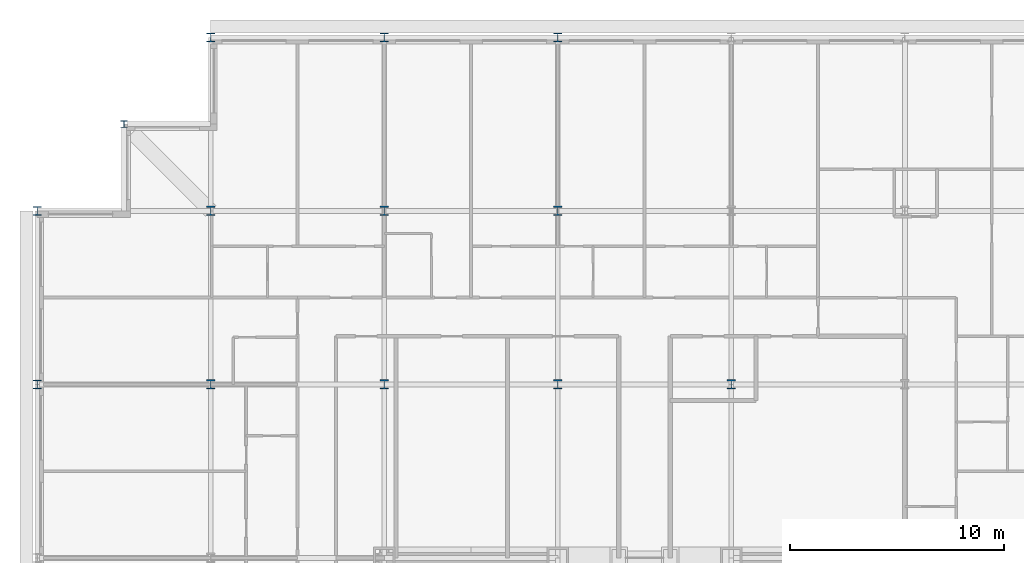
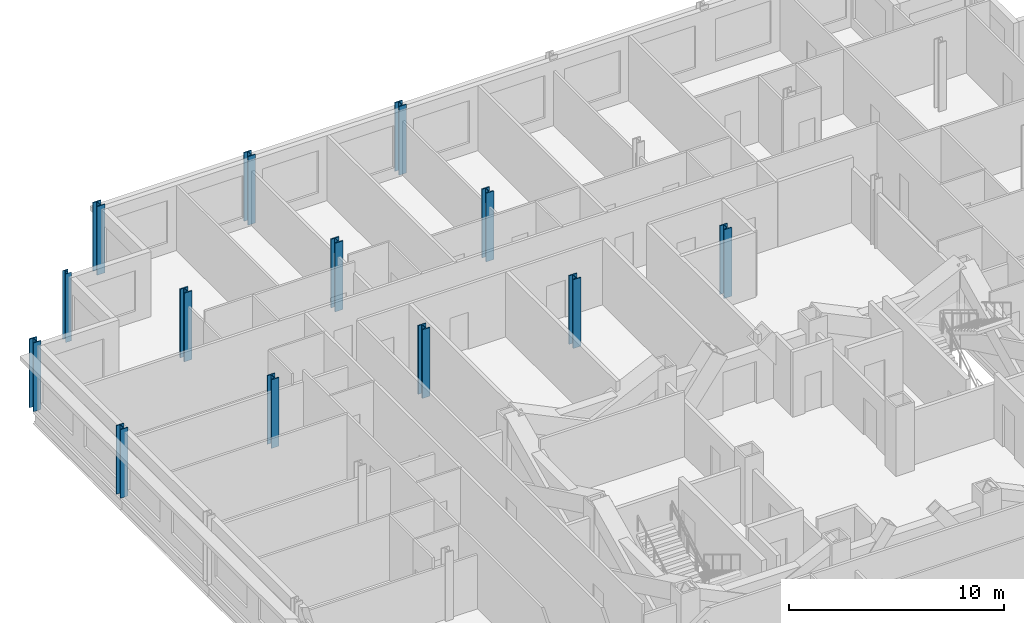
# One storey, part 3 of 15: 13 columns.
"""IFC4 building model written with IfcOpenShell, lengths in metres."""

from ifc_helpers import new_model, si_unit, direction, frame, origin, origin_2d, place, context, subcontext, project, spatial, i_section, extrude, material, material_profile, profile_set, type_object, element, save


model = new_model("IFC4")

# Units and contexts
model_context = context("Model", 3, precision=1e-05, world=origin(), true_north=direction((0.0, 1.0)))
body_context = subcontext(model_context, "Body", "Model", "MODEL_VIEW")
ifc_project = project(units=[si_unit("LENGTHUNIT", "METRE"), si_unit("AREAUNIT", "SQUARE_METRE"), si_unit("VOLUMEUNIT", "CUBIC_METRE"), si_unit("PLANEANGLEUNIT", "RADIAN"), si_unit("MASSUNIT", "GRAM", prefix="KILO")], contexts=[model_context])

# Site, building, storey
site_placement = place(None, origin())
site = spatial("IfcSite", under=ifc_project, at=site_placement, CompositionType="ELEMENT")
building_placement = place(site_placement, origin())
building = spatial("IfcBuilding", under=site, at=building_placement, Name="Kopane Lantern Tower", CompositionType="ELEMENT")
storey_placement = place(building_placement, frame((0.0, 0.0, 273.60009765625)))
storey = spatial("IfcBuildingStorey", under=building, at=storey_placement, Name="L70", CompositionType="ELEMENT", Elevation=273.60009765625)

# Columns
ifc_material_1 = material(Name="Steel S355JR", Category="steel")
ifc_material_profile_1 = material_profile(ifc_material_1, i_section(OverallWidth=0.307373046875, OverallDepth=0.314453125, WebThickness=0.011962890625, FlangeThickness=0.018798828125, FilletRadius=0.01513671875, at=origin_2d()), Name="UC 305x305x118")
ifc_profile_set_1 = profile_set([ifc_material_profile_1], Name="Steel S355JR")
column_type_1 = type_object("IfcColumnType", Name="COLUMN UC 305x305x118", PredefinedType="COLUMN", material=ifc_profile_set_1)
column_placement = place(storey_placement, frame((4.050048828125, 60.75, 0.0), z_axis=(0.0, 0.0, 1.0), x_axis=(1.0, 0.0, 0.0)))
element("IfcColumn", 1, at=column_placement, inside=storey, type_object=column_type_1, Name="Column 4.05/60.75 L70", PredefinedType="COLUMN", context=body_context, shape_type="SweptSolid", body=[
    extrude(i_section(OverallWidth=0.307373046875, OverallDepth=0.314453125, WebThickness=0.011962890625, FlangeThickness=0.018798828125, FilletRadius=0.01513671875, at=origin_2d()), origin(), (0.0, 0.0, 1.0), 3.89990234375),
])
ifc_material_2 = material(Name="Steel S355JR", Category="steel")
ifc_material_profile_2 = material_profile(ifc_material_2, i_section(OverallWidth=0.406982421875, OverallDepth=0.4189453125, WebThickness=0.030517578125, FlangeThickness=0.04931640625, FilletRadius=0.01513671875, at=origin_2d()), Name="UC 356x406x393")
ifc_profile_set_2 = profile_set([ifc_material_profile_2], Name="Steel S355JR")
column_type_2 = type_object("IfcColumnType", Name="COLUMN UC 356x406x393", PredefinedType="COLUMN", material=ifc_profile_set_2)
for number, where, z_axis, x_axis, name in (
    (2, (0.0, 48.60009765625, 0.0), (0.0, 0.0, 1.0), (1.0, 0.0, 0.0), "Column 2/H L70"),
    (3, (0.0, 56.699951171875, 0.0), (0.0, 0.0, 1.0), (1.0, 0.0, 0.0), "Column 2/J L70"),
    (4, (8.10009765625, 64.800048828125, 0.0), (0.0, 0.0, 1.0), (1.0, 0.0, 0.0), "Column 3/K L70"),
    (5, (16.199951171875, 64.800048828125, 0.0), (0.0, 0.0, 1.0), (1.0, 0.0, 0.0), "Column 4/K L70"),
    (6, (24.300048828125, 64.800048828125, 0.0), (0.0, 0.0, 1.0), (1.0, 0.0, 0.0), "Column 5/K L70"),
):
    element("IfcColumn", number, at=place(storey_placement, frame(where, z_axis=z_axis, x_axis=x_axis)), inside=storey, type_object=column_type_2, Name=name, PredefinedType="COLUMN", context=body_context, shape_type="SweptSolid", body=[
        extrude(i_section(OverallWidth=0.406982421875, OverallDepth=0.4189453125, WebThickness=0.030517578125, FlangeThickness=0.04931640625, FilletRadius=0.01513671875, at=origin_2d()), origin(), (0.0, 0.0, 1.0), 3.89990234375),
    ])
ifc_material_3 = material(Name="Steel S355JR", Category="steel")
ifc_material_profile_3 = material_profile(ifc_material_3, i_section(OverallWidth=0.412109375, OverallDepth=0.4365234375, WebThickness=0.035888671875, FlangeThickness=0.05810546875, FilletRadius=0.01513671875, at=origin_2d()), Name="UC 356x406x467")
ifc_profile_set_3 = profile_set([ifc_material_profile_3], Name="Steel S355JR")
column_type_3 = type_object("IfcColumnType", Name="COLUMN UC 356x406x467", PredefinedType="COLUMN", material=ifc_profile_set_3)
for number, where, z_axis, x_axis, name in (
    (7, (8.10009765625, 48.60009765625, 0.0), (0.0, 0.0, 1.0), (1.0, 0.0, 0.0), "Column 3/H L70"),
    (8, (8.10009765625, 56.699951171875, 0.0), (0.0, 0.0, 1.0), (1.0, 0.0, 0.0), "Column 3/J L70"),
    (9, (16.199951171875, 48.60009765625, 0.0), (0.0, 0.0, 1.0), (1.0, 0.0, 0.0), "Column 4/H L70"),
    (10, (16.199951171875, 56.699951171875, 0.0), (0.0, 0.0, 1.0), (1.0, 0.0, 0.0), "Column 4/J L70"),
    (11, (24.300048828125, 48.60009765625, 0.0), (0.0, 0.0, 1.0), (1.0, 0.0, 0.0), "Column 5/H L70"),
    (12, (24.300048828125, 56.699951171875, 0.0), (0.0, 0.0, 1.0), (1.0, 0.0, 0.0), "Column 5/J L70"),
    (13, (32.39990234375, 48.60009765625, 0.0), (0.0, 0.0, 1.0), (1.0, 0.0, 0.0), "Column 6/H L70"),
):
    element("IfcColumn", number, at=place(storey_placement, frame(where, z_axis=z_axis, x_axis=x_axis)), inside=storey, type_object=column_type_3, Name=name, PredefinedType="COLUMN", context=body_context, shape_type="SweptSolid", body=[
        extrude(i_section(OverallWidth=0.412109375, OverallDepth=0.4365234375, WebThickness=0.035888671875, FlangeThickness=0.05810546875, FilletRadius=0.01513671875, at=origin_2d()), origin(), (0.0, 0.0, 1.0), 3.89990234375),
    ])

save(model, "model.ifc")
